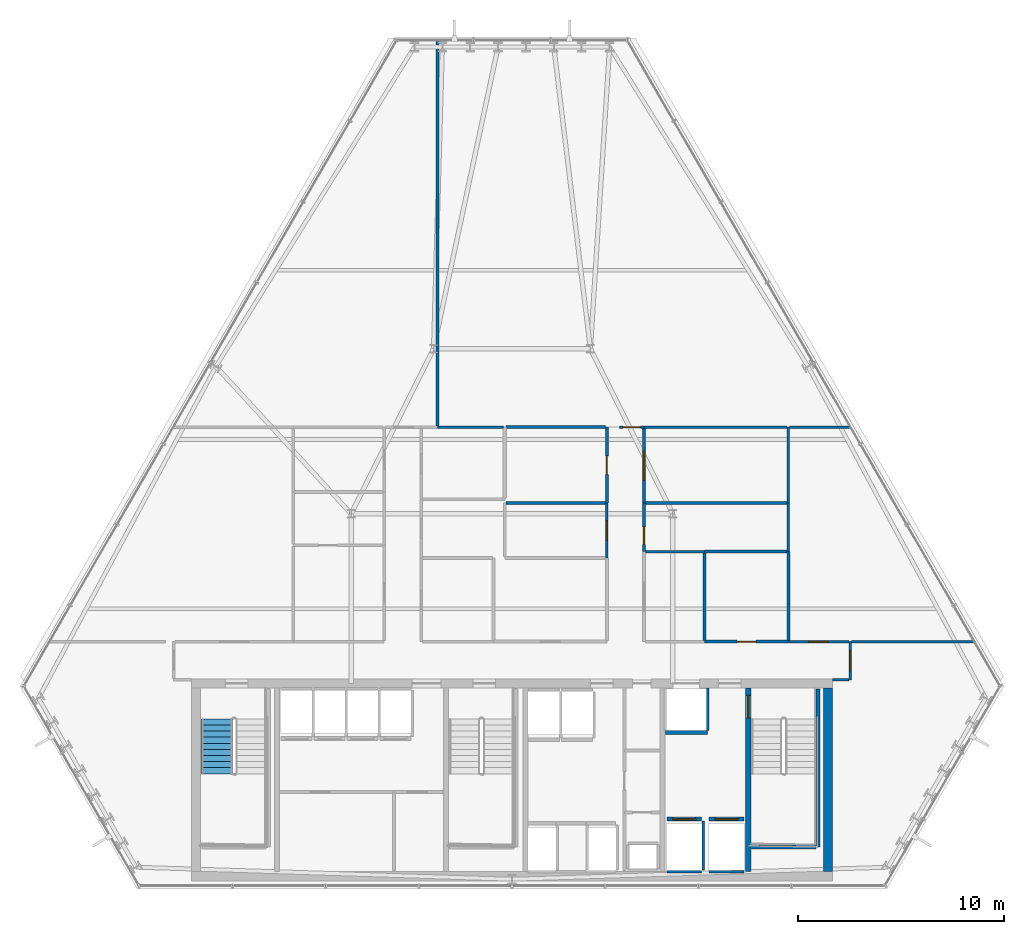
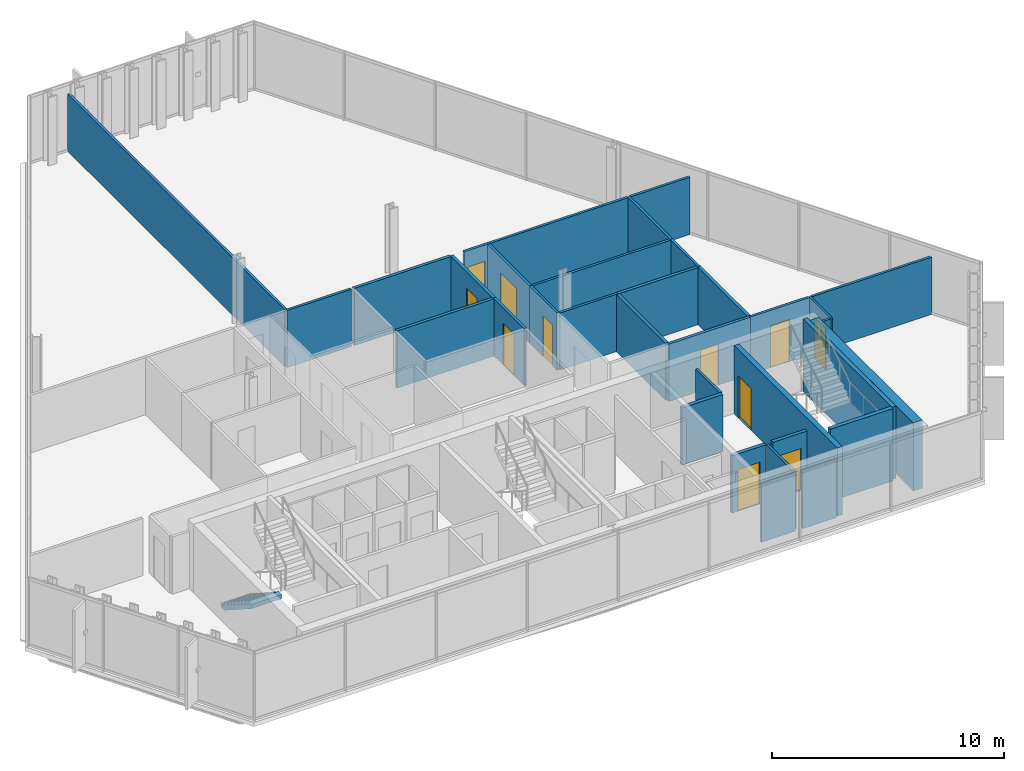
# One storey, part 28 of 33: 34 walls, 11 doors, 1 stair flight, 11 openings, 1 element without a shape of its own.
"""IFC4 building model written with IfcOpenShell, lengths in metres."""

from ifc_helpers import new_model, si_unit, direction, frame, frame_2d, origin, place, context, subcontext, project, spatial, polyline, rectangle, outline, extrude, material, layer, layer_set, type_object, element, fill, aggregate, save


model = new_model("IFC4")

# Units and contexts
model_context = context("Model", 3, precision=1e-05, world=origin(), true_north=direction((0.0, 1.0)))
body_context = subcontext(model_context, "Body", "Model", "MODEL_VIEW")
ifc_project = project(units=[si_unit("LENGTHUNIT", "METRE"), si_unit("AREAUNIT", "SQUARE_METRE"), si_unit("VOLUMEUNIT", "CUBIC_METRE"), si_unit("PLANEANGLEUNIT", "RADIAN"), si_unit("MASSUNIT", "GRAM", prefix="KILO")], contexts=[model_context])

# Site, building, storey
site_placement = place(None, origin())
site = spatial("IfcSite", under=ifc_project, at=site_placement, CompositionType="ELEMENT")
building_placement = place(site_placement, origin())
building = spatial("IfcBuilding", under=site, at=building_placement, Name="Ndaravel Arena Tower", CompositionType="ELEMENT")
storey_placement = place(building_placement, frame((0.0, 0.0, 149.800048828125)))
storey = spatial("IfcBuildingStorey", under=building, at=storey_placement, Name="L35", CompositionType="ELEMENT", Elevation=149.800048828125)

# Wall, opening, door
ifc_material_1 = material(Name="Concrete C60/75", Category="concrete")
ifc_layer_1 = layer(ifc_material_1, 0.25)
ifc_layer_set_1 = layer_set([ifc_layer_1], Name="Concrete C60/75")
wall_type_1 = type_object("IfcWallType", Name="WALL-CORE-250", PredefinedType="SOLIDWALL", material=ifc_layer_set_1)
wall_1_placement = place(storey_placement, frame((53.449951171875, 5.85009765625, 0.0), z_axis=(0.0, 0.0, 1.0), x_axis=(0.0, 1.0, 0.0)))
wall_1 = element("IfcWall", 1, at=wall_1_placement, inside=storey, type_object=wall_type_1, Name="L35 Core Web Shear Wall 5", PredefinedType="SOLIDWALL", context=body_context, shape_type="SweptSolid", body=[
    extrude(rectangle(XDim=8.89990234375, YDim=0.25, at=frame_2d((4.449951171875, 0.0))), origin(), (0.0, 0.0, 1.0), 3.579833984375),
])
opening_1_placement = place(wall_1_placement, frame((7.449951171875, 0.0, 0.0)))
opening_1 = element("IfcOpeningElement", 2, at=opening_1_placement, cuts=wall_1, Name="Opening FD-01", PredefinedType="OPENING", context=body_context, shape_type="SweptSolid", body=[
    extrude(rectangle(XDim=1.10009765625, YDim=2.199951171875, at=frame_2d((0.550048828125, 1.10009765625))), frame((0.0, 0.125, 0.0), z_axis=(0.0, -1.0, 0.0), x_axis=(1.0, 0.0, 0.0)), (0.0, 0.0, 1.0), 0.25),
])
ifc_material_2 = material(Name="Steel S355", Category="steel")
door_type_1 = type_object("IfcDoorType", Name="DT-01-STAIR-1100", OperationType="SINGLE_SWING_LEFT", PredefinedType="DOOR", material=ifc_material_2)
door_1_placement = place(opening_1_placement, origin())
door_1 = element("IfcDoor", 3, at=door_1_placement, inside=storey, type_object=door_type_1, Name="L35 Firefighting Lobby to ST-3 Door", OperationType="SINGLE_SWING_LEFT", OverallHeight=2.199951171875, OverallWidth=1.10009765625, PredefinedType="DOOR", context=body_context, shape_type="SweptSolid", body=[
    extrude(rectangle(XDim=1.10009765625, YDim=2.199951171875, at=frame_2d((0.550048828125, 1.10009765625))), frame((0.0, 0.02490234375, 0.0), z_axis=(0.0, -1.0, 0.0), x_axis=(1.0, 0.0, 0.0)), (0.0, 0.0, 1.0), 0.050048828125),
])
fill(opening_1, door_1)

# Wall
ifc_material_3 = material(Name="Concrete C60/75", Category="concrete")
ifc_layer_2 = layer(ifc_material_3, 0.449951171875)
ifc_layer_set_2 = layer_set([ifc_layer_2], Name="Concrete C60/75")
wall_type_2 = type_object("IfcWallType", Name="WALL-CORE-450", PredefinedType="SOLIDWALL", material=ifc_layer_set_2)
wall_2_placement = place(storey_placement, frame((57.324951171875, 5.85009765625, 0.0), z_axis=(0.0, 0.0, 1.0), x_axis=(0.0, 1.0, 0.0)))
element("IfcWall", 4, at=wall_2_placement, inside=storey, type_object=wall_type_2, Name="L35 Core East Shear Wall", PredefinedType="SOLIDWALL", context=body_context, shape_type="SweptSolid", body=[
    extrude(rectangle(XDim=8.89990234375, YDim=0.449951171875, at=frame_2d((4.449951171875, 0.0))), origin(), (0.0, 0.0, 1.0), 3.579833984375),
])

# Wall, opening, door
ifc_material_4 = material(Name="Timber", Category="wood")
ifc_layer_3 = layer(ifc_material_4, 0.10009765625)
ifc_layer_set_3 = layer_set([ifc_layer_3], Name="Timber")
wall_type_3 = type_object("IfcWallType", Name="WALL-MOVABLE-100", PredefinedType="MOVABLE", material=ifc_layer_set_3)
wall_3_placement = place(storey_placement, frame((58.39990234375, 17.0, 0.0), z_axis=(0.0, 0.0, 1.0), x_axis=(0.0, -1.0, 0.0)))
wall_3 = element("IfcWall", 5, at=wall_3_placement, inside=storey, type_object=wall_type_3, Name="L35 Interior Partition 001", PredefinedType="MOVABLE", context=body_context, shape_type="SweptSolid", body=[
    extrude(rectangle(XDim=1.85009765625, YDim=0.10009765625, at=frame_2d((0.925048828125, 0.0))), origin(), (0.0, 0.0, 1.0), 3.010498046875),
])
opening_2_placement = place(wall_3_placement, frame((0.449951171875, 0.0, 0.0)))
opening_2 = element("IfcOpeningElement", 6, at=opening_2_placement, cuts=wall_3, Name="Opening ID-01", PredefinedType="OPENING", context=body_context, shape_type="SweptSolid", body=[
    extrude(rectangle(XDim=0.949951171875, YDim=2.199951171875, at=frame_2d((0.47509765625, 1.10009765625))), frame((0.0, 0.050048828125, 0.0), z_axis=(0.0, -1.0, 0.0), x_axis=(1.0, 0.0, 0.0)), (0.0, 0.0, 1.0), 0.10009765625),
])
ifc_material_5 = material(Name="Timber", Category="wood")
door_type_2 = type_object("IfcDoorType", Name="DT-03-OFFICE-950", OperationType="SINGLE_SWING_LEFT", PredefinedType="DOOR", material=ifc_material_5)
door_2_placement = place(opening_2_placement, origin())
door_2 = element("IfcDoor", 7, at=door_2_placement, inside=storey, type_object=door_type_2, Name="L35 Visitor Reception Desk Door", OperationType="SINGLE_SWING_LEFT", OverallHeight=2.199951171875, OverallWidth=0.949951171875, PredefinedType="DOOR", context=body_context, shape_type="SweptSolid", body=[
    extrude(rectangle(XDim=0.949951171875, YDim=2.199951171875, at=frame_2d((0.47509765625, 1.10009765625))), frame((0.0, 0.02490234375, 0.0), z_axis=(0.0, -1.0, 0.0), x_axis=(1.0, 0.0, 0.0)), (0.0, 0.0, 1.0), 0.050048828125),
])
fill(opening_2, door_2)

# Wall
ifc_material_6 = material(Name="Gypsum", Category="gypsum")
ifc_layer_4 = layer(ifc_material_6, 0.125)
ifc_layer_set_4 = layer_set([ifc_layer_4], Name="Gypsum")
wall_type_4 = type_object("IfcWallType", Name="WALL-PART-125", PredefinedType="PARTITIONING", material=ifc_layer_set_4)
wall_4_placement = place(storey_placement, frame((58.3349609375, 15.14990234375, 0.0), z_axis=(0.0, 0.0, 1.0), x_axis=(-1.0, 0.0, 0.0)))
element("IfcWall", 8, at=wall_4_placement, inside=storey, type_object=wall_type_4, Name="L35 Interior Partition 002", PredefinedType="PARTITIONING", context=body_context, shape_type="SweptSolid", body=[
    extrude(rectangle(XDim=0.784912109375, YDim=0.125, at=frame_2d((0.392578125, 0.0))), origin(), (0.0, 0.0, 1.0), 3.010498046875),
])

# Wall, opening, door
wall_5_placement = place(storey_placement, frame((46.60009765625, 21.055908203125, 0.0), z_axis=(0.0, 0.0, 1.0), x_axis=(0.0, 1.0, 0.0)))
wall_5 = element("IfcWall", 9, at=wall_5_placement, inside=storey, type_object=wall_type_4, Name="L35 Interior Partition 017", PredefinedType="PARTITIONING", context=body_context, shape_type="SweptSolid", body=[
    extrude(rectangle(XDim=2.66455078125, YDim=0.125, at=frame_2d((1.332275390625, 0.0))), origin(), (0.0, 0.0, 1.0), 3.010498046875),
])
opening_3_placement = place(wall_5_placement, frame((0.857421875, 0.0, 0.0)))
opening_3 = element("IfcOpeningElement", 10, at=opening_3_placement, cuts=wall_5, Name="Opening ID-01", PredefinedType="OPENING", context=body_context, shape_type="SweptSolid", body=[
    extrude(rectangle(XDim=0.949951171875, YDim=2.199951171875, at=frame_2d((0.47509765625, 1.10009765625))), frame((0.0, 0.0625, 0.0), z_axis=(0.0, -1.0, 0.0), x_axis=(1.0, 0.0, 0.0)), (0.0, 0.0, 1.0), 0.125),
])
door_3_placement = place(opening_3_placement, origin())
door_3 = element("IfcDoor", 11, at=door_3_placement, inside=storey, type_object=door_type_2, Name="L35 Training Classroom 4 Door", OperationType="SINGLE_SWING_LEFT", OverallHeight=2.199951171875, OverallWidth=0.949951171875, PredefinedType="DOOR", context=body_context, shape_type="SweptSolid", body=[
    extrude(rectangle(XDim=0.949951171875, YDim=2.199951171875, at=frame_2d((0.47509765625, 1.10009765625))), frame((0.0, 0.02490234375, 0.0), z_axis=(0.0, -1.0, 0.0), x_axis=(1.0, 0.0, 0.0)), (0.0, 0.0, 1.0), 0.050048828125),
])
fill(opening_3, door_3)

wall_6_placement = place(storey_placement, frame((48.39990234375, 27.3349609375, 0.0), z_axis=(0.0, 0.0, 1.0), x_axis=(0.0, -1.0, 0.0)))
wall_6 = element("IfcWall", 12, at=wall_6_placement, inside=storey, type_object=wall_type_4, Name="L35 Interior Partition 020", PredefinedType="PARTITIONING", context=body_context, shape_type="SweptSolid", body=[
    extrude(rectangle(XDim=3.614501953125, YDim=0.125, at=frame_2d((1.80712890625, 0.0))), origin(), (0.0, 0.0, 1.0), 3.010498046875),
])
opening_4_placement = place(wall_6_placement, frame((1.107177734375, 0.0, 0.0)))
opening_4 = element("IfcOpeningElement", 13, at=opening_4_placement, cuts=wall_6, Name="Opening ID-02", PredefinedType="OPENING", context=body_context, shape_type="SweptSolid", body=[
    extrude(rectangle(XDim=1.39990234375, YDim=2.199951171875, at=frame_2d((0.699951171875, 1.10009765625))), frame((0.0, 0.0625, 0.0), z_axis=(0.0, -1.0, 0.0), x_axis=(1.0, 0.0, 0.0)), (0.0, 0.0, 1.0), 0.125),
])
ifc_material_7 = material(Name="Timber", Category="wood")
door_type_3 = type_object("IfcDoorType", Name="DT-04-SUITE-1400", OperationType="DOUBLE_DOOR_SINGLE_SWING", PredefinedType="DOOR", material=ifc_material_7)
door_4_placement = place(opening_4_placement, origin())
door_4 = element("IfcDoor", 14, at=door_4_placement, inside=storey, type_object=door_type_3, Name="L35 Client Conference Room 6 Door", OperationType="SINGLE_SWING_RIGHT", OverallHeight=2.199951171875, OverallWidth=1.39990234375, PredefinedType="DOOR", context=body_context, shape_type="SweptSolid", body=[
    extrude(rectangle(XDim=1.39990234375, YDim=2.199951171875, at=frame_2d((0.699951171875, 1.10009765625))), frame((0.0, 0.02490234375, 0.0), z_axis=(0.0, -1.0, 0.0), x_axis=(1.0, 0.0, 0.0)), (0.0, 0.0, 1.0), 0.050048828125),
])
fill(opening_4, door_4)

wall_7_placement = place(storey_placement, frame((55.39990234375, 17.0, 0.0), z_axis=(0.0, 0.0, 1.0), x_axis=(1.0, 0.0, 0.0)))
wall_7 = element("IfcWall", 15, at=wall_7_placement, inside=storey, type_object=wall_type_4, Name="L35 Interior Partition 025", PredefinedType="PARTITIONING", context=body_context, shape_type="SweptSolid", body=[
    extrude(rectangle(XDim=2.93505859375, YDim=0.125, at=frame_2d((1.467529296875, 0.0))), origin(), (0.0, 0.0, 1.0), 3.010498046875),
])
opening_5_placement = place(wall_7_placement, frame((0.992431640625, 0.0, 0.0)))
opening_5 = element("IfcOpeningElement", 16, at=opening_5_placement, cuts=wall_7, Name="Opening ID-01", PredefinedType="OPENING", context=body_context, shape_type="SweptSolid", body=[
    extrude(rectangle(XDim=0.949951171875, YDim=2.199951171875, at=frame_2d((0.47509765625, 1.10009765625))), frame((0.0, 0.0625, 0.0), z_axis=(0.0, -1.0, 0.0), x_axis=(1.0, 0.0, 0.0)), (0.0, 0.0, 1.0), 0.125),
])
door_5_placement = place(opening_5_placement, origin())
door_5 = element("IfcDoor", 17, at=door_5_placement, inside=storey, type_object=door_type_2, Name="L35 Concierge Arrival Salon 2 Door", OperationType="SINGLE_SWING_LEFT", OverallHeight=2.199951171875, OverallWidth=0.949951171875, PredefinedType="DOOR", context=body_context, shape_type="SweptSolid", body=[
    extrude(rectangle(XDim=0.949951171875, YDim=2.199951171875, at=frame_2d((0.47509765625, 1.10009765625))), frame((0.0, 0.02490234375, 0.0), z_axis=(0.0, -1.0, 0.0), x_axis=(1.0, 0.0, 0.0)), (0.0, 0.0, 1.0), 0.050048828125),
])
fill(opening_5, door_5)

# Walls
wall_8_placement = place(storey_placement, frame((58.465087890625, 17.0, 0.0), z_axis=(0.0, 0.0, 1.0), x_axis=(1.0, 0.0, 0.0)))
element("IfcWall", 18, at=wall_8_placement, inside=storey, type_object=wall_type_4, Name="L35 Interior Partition 027", PredefinedType="PARTITIONING", context=body_context, shape_type="SweptSolid", body=[
    extrude(rectangle(XDim=5.958740234375, YDim=0.125, at=frame_2d((2.9794921875, 0.0))), origin(), (0.0, 0.0, 1.0), 3.010498046875),
])
wall_9_placement = place(storey_placement, frame((48.465087890625, 21.367919921875, 0.0), z_axis=(0.0, 0.0, 1.0), x_axis=(1.0, 0.0, 0.0)))
element("IfcWall", 19, at=wall_9_placement, inside=storey, type_object=wall_type_4, Name="L35 Interior Partition 031", PredefinedType="PARTITIONING", context=body_context, shape_type="SweptSolid", body=[
    extrude(rectangle(XDim=2.875, YDim=0.125, at=frame_2d((1.4375, 0.0))), origin(), (0.0, 0.0, 1.0), 3.010498046875),
])
wall_10_placement = place(storey_placement, frame((55.39990234375, 21.367919921875, 0.0), z_axis=(0.0, 0.0, 1.0), x_axis=(0.0, 1.0, 0.0)))
element("IfcWall", 20, at=wall_10_placement, inside=storey, type_object=wall_type_4, Name="L35 Interior Partition 037", PredefinedType="PARTITIONING", context=body_context, shape_type="SweptSolid", body=[
    extrude(rectangle(XDim=2.3525390625, YDim=0.125, at=frame_2d((1.17626953125, 0.0))), origin(), (0.0, 0.0, 1.0), 3.010498046875),
])
wall_11_placement = place(storey_placement, frame((55.39990234375, 23.720458984375, 0.0), z_axis=(0.0, 0.0, 1.0), x_axis=(0.0, 1.0, 0.0)))
element("IfcWall", 21, at=wall_11_placement, inside=storey, type_object=wall_type_4, Name="L35 Interior Partition 038", PredefinedType="PARTITIONING", context=body_context, shape_type="SweptSolid", body=[
    extrude(rectangle(XDim=3.679443359375, YDim=0.125, at=frame_2d((1.83984375, 0.0))), origin(), (0.0, 0.0, 1.0), 3.010498046875),
])
wall_12_placement = place(storey_placement, frame((55.465087890625, 27.39990234375, 0.0), z_axis=(0.0, 0.0, 1.0), x_axis=(1.0, 0.0, 0.0)))
element("IfcWall", 22, at=wall_12_placement, inside=storey, type_object=wall_type_4, Name="L35 Interior Partition 039", PredefinedType="PARTITIONING", context=body_context, shape_type="SweptSolid", body=[
    extrude(rectangle(XDim=2.954345703125, YDim=0.125, at=frame_2d((1.47705078125, 0.0))), origin(), (0.0, 0.0, 1.0), 3.010498046875),
])
wall_13_placement = place(storey_placement, frame((48.465087890625, 23.720458984375, 0.0), z_axis=(0.0, 0.0, 1.0), x_axis=(1.0, 0.0, 0.0)))
element("IfcWall", 23, at=wall_13_placement, inside=storey, type_object=wall_type_4, Name="L35 Interior Partition 046", PredefinedType="PARTITIONING", context=body_context, shape_type="SweptSolid", body=[
    extrude(rectangle(XDim=6.869873046875, YDim=0.125, at=frame_2d((3.43505859375, 0.0))), origin(), (0.0, 0.0, 1.0), 3.010498046875),
])
wall_14_placement = place(storey_placement, frame((48.39990234375, 27.39990234375, 0.0), z_axis=(0.0, 0.0, 1.0), x_axis=(1.0, 0.0, 0.0)))
element("IfcWall", 24, at=wall_14_placement, inside=storey, type_object=wall_type_4, Name="L35 Interior Partition 050", PredefinedType="PARTITIONING", context=body_context, shape_type="SweptSolid", body=[
    extrude(rectangle(XDim=6.93505859375, YDim=0.125, at=frame_2d((3.467529296875, 0.0))), origin(), (0.0, 0.0, 1.0), 3.010498046875),
])
wall_15_placement = place(storey_placement, frame((38.3876953125, 27.39990234375, 0.0), z_axis=(0.0, 0.0, 1.0), x_axis=(1.0, 0.0, 0.0)))
element("IfcWall", 25, at=wall_15_placement, inside=storey, type_object=wall_type_4, Name="L35 Interior Partition 052", PredefinedType="PARTITIONING", context=body_context, shape_type="SweptSolid", body=[
    extrude(rectangle(XDim=3.197265625, YDim=0.125, at=frame_2d((1.5986328125, 0.0))), origin(), (0.0, 0.0, 1.0), 3.010498046875),
])
wall_16_placement = place(storey_placement, frame((38.3876953125, 46.15380859375, 0.0), z_axis=(0.0, 0.0, 1.0), x_axis=(0.0, -1.0, 0.0)))
element("IfcWall", 26, at=wall_16_placement, inside=storey, type_object=wall_type_4, Name="L35 Interior Partition 054", PredefinedType="PARTITIONING", context=body_context, shape_type="SweptSolid", body=[
    extrude(rectangle(XDim=18.688720703125, YDim=0.125, at=frame_2d((9.34423828125, 0.0))), origin(), (0.0, 0.0, 1.0), 3.010498046875),
])
ifc_material_8 = material(Name="Concrete C40/50", Category="concrete")
ifc_layer_5 = layer(ifc_material_8, 0.1201171875)
ifc_layer_set_5 = layer_set([ifc_layer_5], Name="Concrete C40/50")
wall_type_5 = type_object("IfcWallType", Name="WALL-SHAFT-120", PredefinedType="SOLIDWALL", material=ifc_layer_set_5)
wall_17_placement = place(storey_placement, frame((49.5048828125, 5.840087890625, 0.0), z_axis=(0.0, 0.0, 1.0), x_axis=(1.0, 0.0, 0.0)))
element("IfcWall", 27, at=wall_17_placement, inside=storey, type_object=wall_type_5, Name="L35 FFL-1 Shaft Rear Wall", PredefinedType="SOLIDWALL", context=body_context, shape_type="SweptSolid", body=[
    extrude(rectangle(XDim=1.690185546875, YDim=0.1201171875, at=frame_2d((0.84521484375, 0.0))), origin(), (0.0, 0.0, 1.0), 3.010498046875),
])
wall_18_placement = place(storey_placement, frame((51.27490234375, 5.929931640625, 0.0), z_axis=(0.0, 0.0, 1.0), x_axis=(0.0, 1.0, 0.0)))
element("IfcWall", 28, at=wall_18_placement, inside=storey, type_object=wall_type_5, Name="L35 FFL-1 Shaft Side R Wall", PredefinedType="SOLIDWALL", context=body_context, shape_type="SweptSolid", body=[
    extrude(rectangle(XDim=2.380126953125, YDim=0.1201171875, at=frame_2d((1.18994140625, 0.0))), origin(), (0.0, 0.0, 1.0), 3.010498046875),
])
wall_19_placement = place(storey_placement, frame((51.554931640625, 5.840087890625, 0.0), z_axis=(0.0, 0.0, 1.0), x_axis=(1.0, 0.0, 0.0)))
element("IfcWall", 29, at=wall_19_placement, inside=storey, type_object=wall_type_5, Name="L35 FFL-2 Shaft Rear Wall", PredefinedType="SOLIDWALL", context=body_context, shape_type="SweptSolid", body=[
    extrude(rectangle(XDim=1.690185546875, YDim=0.1201171875, at=frame_2d((0.84521484375, 0.0))), origin(), (0.0, 0.0, 1.0), 3.010498046875),
])
wall_20_placement = place(storey_placement, frame((51.47998046875, 12.68994140625, 0.0), z_axis=(0.0, 0.0, 1.0), x_axis=(0.0, 1.0, 0.0)))
element("IfcWall", 30, at=wall_20_placement, inside=storey, type_object=wall_type_5, Name="L35 SVL-1 Shaft E Wall", PredefinedType="SOLIDWALL", context=body_context, shape_type="SweptSolid", body=[
    extrude(rectangle(XDim=2.070068359375, YDim=0.1201171875, at=frame_2d((1.03515625, 0.0))), origin(), (0.0, 0.0, 1.0), 3.010498046875),
])
ifc_material_9 = material(Name="Concrete C40/50", Category="concrete")
ifc_layer_6 = layer(ifc_material_9, 0.199951171875)
ifc_layer_set_6 = layer_set([ifc_layer_6], Name="Concrete C40/50")
wall_type_6 = type_object("IfcWallType", Name="WALL-SHAFT-200", PredefinedType="SOLIDWALL", material=ifc_layer_set_6)
wall_21_placement = place(storey_placement, frame((56.840087890625, 14.699951171875, 0.0), z_axis=(0.0, 0.0, 1.0), x_axis=(0.0, -1.0, 0.0)))
element("IfcWall", 31, at=wall_21_placement, inside=storey, type_object=wall_type_6, Name="L35 ST-3 Structural Shaft Wall Right", PredefinedType="SOLIDWALL", context=body_context, shape_type="SweptSolid", body=[
    extrude(rectangle(XDim=7.64990234375, YDim=0.199951171875, at=frame_2d((3.824951171875, 0.0))), origin(), (0.0, 0.0, 1.0), 3.800048828125),
])
wall_22_placement = place(storey_placement, frame((53.6201171875, 7.050048828125, 0.0), z_axis=(0.0, 0.0, 1.0), x_axis=(1.0, 0.0, 0.0)))
element("IfcWall", 32, at=wall_22_placement, inside=storey, type_object=wall_type_6, Name="L35 ST-3 Structural Shaft Wall Far", PredefinedType="SOLIDWALL", context=body_context, shape_type="SweptSolid", body=[
    extrude(rectangle(XDim=3.114990234375, YDim=0.199951171875, at=frame_2d((1.5576171875, 0.0))), origin(), (0.0, 0.0, 1.0), 3.800048828125),
])

# Wall, opening, door
wall_23_placement = place(storey_placement, frame((49.5048828125, 8.39990234375, 0.0), z_axis=(0.0, 0.0, 1.0), x_axis=(1.0, 0.0, 0.0)))
wall_23 = element("IfcWall", 33, at=wall_23_placement, inside=storey, type_object=wall_type_6, Name="L35 FFL-1 Shaft Landing Wall", PredefinedType="SOLIDWALL", context=body_context, shape_type="SweptSolid", body=[
    extrude(rectangle(XDim=1.690185546875, YDim=0.179931640625, at=frame_2d((0.84521484375, 0.0))), origin(), (0.0, 0.0, 1.0), 3.010498046875),
])
opening_6_placement = place(wall_23_placement, frame((0.294921875, 0.0, 0.0)))
opening_6 = element("IfcOpeningElement", 34, at=opening_6_placement, cuts=wall_23, Name="Opening LD-01", PredefinedType="OPENING", context=body_context, shape_type="SweptSolid", body=[
    extrude(rectangle(XDim=1.10009765625, YDim=2.199951171875, at=frame_2d((0.550048828125, 1.10009765625))), frame((0.0, 0.08984375, 0.0), z_axis=(0.0, -1.0, 0.0), x_axis=(1.0, 0.0, 0.0)), (0.0, 0.0, 1.0), 0.179931640625),
])
ifc_material_10 = material(Name="Steel S355", Category="steel")
door_type_4 = type_object("IfcDoorType", Name="DT-06-LIFT-1100", OperationType="SLIDING_TO_LEFT", PredefinedType="DOOR", material=ifc_material_10)
door_6_placement = place(opening_6_placement, origin())
door_6 = element("IfcDoor", 35, at=door_6_placement, inside=storey, type_object=door_type_4, Name="L35 Lift FFL-1 Sliding Landing Door", OperationType="SLIDING_TO_LEFT", OverallHeight=2.199951171875, OverallWidth=1.10009765625, PredefinedType="DOOR", context=body_context, shape_type="SweptSolid", body=[
    extrude(rectangle(XDim=1.10009765625, YDim=2.199951171875, at=frame_2d((0.550048828125, 1.10009765625))), frame((0.0, 0.02490234375, 0.0), z_axis=(0.0, -1.0, 0.0), x_axis=(1.0, 0.0, 0.0)), (0.0, 0.0, 1.0), 0.050048828125),
])
fill(opening_6, door_6)

wall_24_placement = place(storey_placement, frame((51.554931640625, 8.39990234375, 0.0), z_axis=(0.0, 0.0, 1.0), x_axis=(1.0, 0.0, 0.0)))
wall_24 = element("IfcWall", 36, at=wall_24_placement, inside=storey, type_object=wall_type_6, Name="L35 FFL-2 Shaft Landing Wall", PredefinedType="SOLIDWALL", context=body_context, shape_type="SweptSolid", body=[
    extrude(rectangle(XDim=1.690185546875, YDim=0.179931640625, at=frame_2d((0.84521484375, 0.0))), origin(), (0.0, 0.0, 1.0), 3.010498046875),
])
opening_7_placement = place(wall_24_placement, frame((0.294921875, 0.0, 0.0)))
opening_7 = element("IfcOpeningElement", 37, at=opening_7_placement, cuts=wall_24, Name="Opening LD-01", PredefinedType="OPENING", context=body_context, shape_type="SweptSolid", body=[
    extrude(rectangle(XDim=1.10009765625, YDim=2.199951171875, at=frame_2d((0.550048828125, 1.10009765625))), frame((0.0, 0.08984375, 0.0), z_axis=(0.0, -1.0, 0.0), x_axis=(1.0, 0.0, 0.0)), (0.0, 0.0, 1.0), 0.179931640625),
])
door_7_placement = place(opening_7_placement, origin())
door_7 = element("IfcDoor", 38, at=door_7_placement, inside=storey, type_object=door_type_4, Name="L35 Lift FFL-2 Sliding Landing Door", OperationType="SLIDING_TO_LEFT", OverallHeight=2.199951171875, OverallWidth=1.10009765625, PredefinedType="DOOR", context=body_context, shape_type="SweptSolid", body=[
    extrude(rectangle(XDim=1.10009765625, YDim=2.199951171875, at=frame_2d((0.550048828125, 1.10009765625))), frame((0.0, 0.02490234375, 0.0), z_axis=(0.0, -1.0, 0.0), x_axis=(1.0, 0.0, 0.0)), (0.0, 0.0, 1.0), 0.050048828125),
])
fill(opening_7, door_7)

# Wall
wall_25_placement = place(storey_placement, frame((49.43994140625, 12.594970703125, 0.0), z_axis=(0.0, 0.0, 1.0), x_axis=(1.0, 0.0, 0.0)))
element("IfcWall", 39, at=wall_25_placement, inside=storey, type_object=wall_type_6, Name="L35 SVL-1 Shaft South Wall", PredefinedType="SOLIDWALL", context=body_context, shape_type="SweptSolid", body=[
    extrude(rectangle(XDim=2.0400390625, YDim=0.179931640625, at=frame_2d((1.02001953125, 0.0))), origin(), (0.0, 0.0, 1.0), 3.010498046875),
])

# Wall, opening, door
ifc_material_11 = material(Name="Masonry", Category="masonry")
ifc_layer_7 = layer(ifc_material_11, 0.14990234375)
ifc_layer_set_7 = layer_set([ifc_layer_7], Name="Masonry")
wall_type_7 = type_object("IfcWallType", Name="WALL-WET-150", PredefinedType="PARTITIONING", material=ifc_layer_set_7)
wall_26_placement = place(storey_placement, frame((46.60009765625, 23.720458984375, 0.0), z_axis=(0.0, 0.0, 1.0), x_axis=(0.0, 1.0, 0.0)))
wall_26 = element("IfcWall", 40, at=wall_26_placement, inside=storey, type_object=wall_type_7, Name="L35 Interior Partition 018", PredefinedType="PARTITIONING", context=body_context, shape_type="SweptSolid", body=[
    extrude(rectangle(XDim=3.679443359375, YDim=0.14990234375, at=frame_2d((1.83984375, 0.0))), origin(), (0.0, 0.0, 1.0), 3.010498046875),
])
opening_8_placement = place(wall_26_placement, frame((1.3896484375, 0.0, 0.0)))
opening_8 = element("IfcOpeningElement", 41, at=opening_8_placement, cuts=wall_26, Name="Opening WD-01", PredefinedType="OPENING", context=body_context, shape_type="SweptSolid", body=[
    extrude(rectangle(XDim=0.89990234375, YDim=2.14990234375, at=frame_2d((0.449951171875, 1.074951171875))), frame((0.0, 0.074951171875, 0.0), z_axis=(0.0, -1.0, 0.0), x_axis=(1.0, 0.0, 0.0)), (0.0, 0.0, 1.0), 0.14990234375),
])
ifc_material_12 = material(Name="Timber", Category="wood")
door_type_5 = type_object("IfcDoorType", Name="DT-05-WC-900", OperationType="SINGLE_SWING_LEFT", PredefinedType="DOOR", material=ifc_material_12)
door_8_placement = place(opening_8_placement, origin())
door_8 = element("IfcDoor", 42, at=door_8_placement, inside=storey, type_object=door_type_5, Name="L35 Female & Accessible Restroom Door", OperationType="SINGLE_SWING_LEFT", OverallHeight=2.14990234375, OverallWidth=0.89990234375, PredefinedType="DOOR", context=body_context, shape_type="SweptSolid", body=[
    extrude(rectangle(XDim=0.89990234375, YDim=2.14990234375, at=frame_2d((0.449951171875, 1.074951171875))), frame((0.0, 0.02490234375, 0.0), z_axis=(0.0, -1.0, 0.0), x_axis=(1.0, 0.0, 0.0)), (0.0, 0.0, 1.0), 0.050048828125),
])
fill(opening_8, door_8)

wall_27_placement = place(storey_placement, frame((47.199951171875, 27.39990234375, 0.0), z_axis=(0.0, 0.0, 1.0), x_axis=(1.0, 0.0, 0.0)))
wall_27 = element("IfcWall", 43, at=wall_27_placement, inside=storey, type_object=wall_type_7, Name="L35 Interior Partition 019", PredefinedType="PARTITIONING", context=body_context, shape_type="SweptSolid", body=[
    extrude(rectangle(XDim=1.199951171875, YDim=0.125, at=frame_2d((0.60009765625, 0.0))), origin(), (0.0, 0.0, 1.0), 3.010498046875),
])
opening_9_placement = place(wall_27_placement, frame((0.175048828125, 0.0, 0.0)))
opening_9 = element("IfcOpeningElement", 44, at=opening_9_placement, cuts=wall_27, Name="Opening ID-03", PredefinedType="OPENING", context=body_context, shape_type="SweptSolid", body=[
    extrude(rectangle(XDim=0.85009765625, YDim=2.14990234375, at=frame_2d((0.425048828125, 1.074951171875))), frame((0.0, 0.0625, 0.0), z_axis=(0.0, -1.0, 0.0), x_axis=(1.0, 0.0, 0.0)), (0.0, 0.0, 1.0), 0.125),
])
ifc_material_13 = material(Name="Timber", Category="wood")
door_type_6 = type_object("IfcDoorType", Name="DT-12-SUB-850", OperationType="SINGLE_SWING_LEFT", PredefinedType="DOOR", material=ifc_material_13)
door_9_placement = place(opening_9_placement, origin())
door_9 = element("IfcDoor", 45, at=door_9_placement, inside=storey, type_object=door_type_6, Name="L35 Training Classroom 8 Door", OperationType="SINGLE_SWING_LEFT", OverallHeight=2.14990234375, OverallWidth=0.85009765625, PredefinedType="DOOR", context=body_context, shape_type="SweptSolid", body=[
    extrude(rectangle(XDim=0.85009765625, YDim=2.14990234375, at=frame_2d((0.425048828125, 1.074951171875))), frame((0.0, 0.02490234375, 0.0), z_axis=(0.0, -1.0, 0.0), x_axis=(1.0, 0.0, 0.0)), (0.0, 0.0, 1.0), 0.050048828125),
])
fill(opening_9, door_9)

wall_28_placement = place(storey_placement, frame((48.39990234375, 23.720458984375, 0.0), z_axis=(0.0, 0.0, 1.0), x_axis=(0.0, -1.0, 0.0)))
wall_28 = element("IfcWall", 46, at=wall_28_placement, inside=storey, type_object=wall_type_7, Name="L35 Interior Partition 021", PredefinedType="PARTITIONING", context=body_context, shape_type="SweptSolid", body=[
    extrude(rectangle(XDim=2.3525390625, YDim=0.125, at=frame_2d((1.17626953125, 0.0))), origin(), (0.0, 0.0, 1.0), 3.010498046875),
])
opening_10_placement = place(wall_28_placement, frame((1.1513671875, 0.0, 0.0)))
opening_10 = element("IfcOpeningElement", 47, at=opening_10_placement, cuts=wall_28, Name="Opening ID-03", PredefinedType="OPENING", context=body_context, shape_type="SweptSolid", body=[
    extrude(rectangle(XDim=0.85009765625, YDim=2.14990234375, at=frame_2d((0.425048828125, 1.074951171875))), frame((0.0, 0.0625, 0.0), z_axis=(0.0, -1.0, 0.0), x_axis=(1.0, 0.0, 0.0)), (0.0, 0.0, 1.0), 0.125),
])
door_10_placement = place(opening_10_placement, origin())
door_10 = element("IfcDoor", 48, at=door_10_placement, inside=storey, type_object=door_type_6, Name="L35 Executive Boardroom 5 Door", OperationType="SINGLE_SWING_LEFT", OverallHeight=2.14990234375, OverallWidth=0.85009765625, PredefinedType="DOOR", context=body_context, shape_type="SweptSolid", body=[
    extrude(rectangle(XDim=0.85009765625, YDim=2.14990234375, at=frame_2d((0.425048828125, 1.074951171875))), frame((0.0, 0.02490234375, 0.0), z_axis=(0.0, -1.0, 0.0), x_axis=(1.0, 0.0, 0.0)), (0.0, 0.0, 1.0), 0.050048828125),
])
fill(opening_10, door_10)

wall_29_placement = place(storey_placement, frame((51.340087890625, 17.0, 0.0), z_axis=(0.0, 0.0, 1.0), x_axis=(1.0, 0.0, 0.0)))
wall_29 = element("IfcWall", 49, at=wall_29_placement, inside=storey, type_object=wall_type_7, Name="L35 Interior Partition 024", PredefinedType="PARTITIONING", context=body_context, shape_type="SweptSolid", body=[
    extrude(rectangle(XDim=4.059814453125, YDim=0.14990234375, at=frame_2d((2.02978515625, 0.0))), origin(), (0.0, 0.0, 1.0), 3.010498046875),
])
opening_11_placement = place(wall_29_placement, frame((1.580078125, 0.0, 0.0)))
opening_11 = element("IfcOpeningElement", 50, at=opening_11_placement, cuts=wall_29, Name="Opening WD-01", PredefinedType="OPENING", context=body_context, shape_type="SweptSolid", body=[
    extrude(rectangle(XDim=0.89990234375, YDim=2.14990234375, at=frame_2d((0.449951171875, 1.074951171875))), frame((0.0, 0.074951171875, 0.0), z_axis=(0.0, -1.0, 0.0), x_axis=(1.0, 0.0, 0.0)), (0.0, 0.0, 1.0), 0.14990234375),
])
door_11_placement = place(opening_11_placement, origin())
door_11 = element("IfcDoor", 51, at=door_11_placement, inside=storey, type_object=door_type_5, Name="L35 Male Staff & Visitor Restroom Door", OperationType="SINGLE_SWING_LEFT", OverallHeight=2.14990234375, OverallWidth=0.89990234375, PredefinedType="DOOR", context=body_context, shape_type="SweptSolid", body=[
    extrude(rectangle(XDim=0.89990234375, YDim=2.14990234375, at=frame_2d((0.449951171875, 1.074951171875))), frame((0.0, 0.02490234375, 0.0), z_axis=(0.0, -1.0, 0.0), x_axis=(1.0, 0.0, 0.0)), (0.0, 0.0, 1.0), 0.050048828125),
])
fill(opening_11, door_11)

# Walls
wall_30_placement = place(storey_placement, frame((51.340087890625, 21.302978515625, 0.0), z_axis=(0.0, 0.0, 1.0), x_axis=(0.0, -1.0, 0.0)))
element("IfcWall", 52, at=wall_30_placement, inside=storey, type_object=wall_type_7, Name="L35 Interior Partition 032", PredefinedType="PARTITIONING", context=body_context, shape_type="SweptSolid", body=[
    extrude(rectangle(XDim=4.238037109375, YDim=0.14990234375, at=frame_2d((2.119140625, 0.0))), origin(), (0.0, 0.0, 1.0), 3.010498046875),
])
wall_31_placement = place(storey_placement, frame((55.39990234375, 21.367919921875, 0.0), z_axis=(0.0, 0.0, 1.0), x_axis=(0.0, -1.0, 0.0)))
element("IfcWall", 53, at=wall_31_placement, inside=storey, type_object=wall_type_7, Name="L35 Interior Partition 033", PredefinedType="PARTITIONING", context=body_context, shape_type="SweptSolid", body=[
    extrude(rectangle(XDim=4.302978515625, YDim=0.14990234375, at=frame_2d((2.1513671875, 0.0))), origin(), (0.0, 0.0, 1.0), 3.010498046875),
])
wall_32_placement = place(storey_placement, frame((51.340087890625, 21.367919921875, 0.0), z_axis=(0.0, 0.0, 1.0), x_axis=(1.0, 0.0, 0.0)))
element("IfcWall", 54, at=wall_32_placement, inside=storey, type_object=wall_type_7, Name="L35 Interior Partition 034", PredefinedType="PARTITIONING", context=body_context, shape_type="SweptSolid", body=[
    extrude(rectangle(XDim=3.994873046875, YDim=0.14990234375, at=frame_2d((1.99755859375, 0.0))), origin(), (0.0, 0.0, 1.0), 3.010498046875),
])
for number, where, z_axis, x_axis, name in (
    (55, (41.715087890625, 23.720458984375, 0.0), (0.0, 0.0, 1.0), (1.0, 0.0, 0.0), "L35 Interior Partition 044"),
    (56, (41.715087890625, 27.39990234375, 0.0), (0.0, 0.0, 1.0), (1.0, 0.0, 0.0), "L35 Interior Partition 049"),
):
    element("IfcWall", number, at=place(storey_placement, frame(where, z_axis=z_axis, x_axis=x_axis)), inside=storey, type_object=wall_type_7, Name=name, PredefinedType="PARTITIONING", context=body_context, shape_type="SweptSolid", body=[
        extrude(rectangle(XDim=4.81982421875, YDim=0.14990234375, at=frame_2d((2.409912109375, 0.0))), origin(), (0.0, 0.0, 1.0), 3.010498046875),
    ])

# Stair, stair flight
ifc_material_14 = material(Name="Concrete C40/50", Category="concrete")
stair_type = type_object("IfcStairType", Name="STAIR-CORE-HT", PredefinedType="HALF_TURN_STAIR", material=ifc_material_14)
stair_placement = place(storey_placement, origin())
stair = element("IfcStair", 57, at=stair_placement, inside=storey, type_object=stair_type, Name="L35 ST-1", PredefinedType="HALF_TURN_STAIR")
ifc_material_15 = material(Name="Concrete C40/50", Category="concrete")
stair_flight_type = type_object("IfcStairFlightType", Name="SFLIGHT-CORE-1680", PredefinedType="STRAIGHT", material=ifc_material_15)
stair_flight_placement = place(storey_placement, frame((27.699951171875, 13.25, 0.0), z_axis=(0.0, 0.0, 1.0), x_axis=(0.0, -1.0, 0.0)))
stair_flight = element("IfcStairFlight", 58, at=stair_flight_placement, type_object=stair_flight_type, Name="ST-1 flight 1", NumberOfRisers=10, NumberOfTreads=9, PredefinedType="STRAIGHT", RiserHeight=0.19, TreadLength=0.295, context=body_context, shape_type="SweptSolid", body=[
    extrude(outline(polyline([(0.0, 0.0), (0.0, 0.18994140625), (0.294921875, 0.18994140625), (0.294921875, 0.3798828125), (0.590087890625, 0.3798828125), (0.590087890625, 0.570068359375), (0.885009765625, 0.570068359375), (0.885009765625, 0.760009765625), (1.179931640625, 0.760009765625), (1.179931640625, 0.949951171875), (1.47509765625, 0.949951171875), (1.47509765625, 1.139892578125), (1.77001953125, 1.139892578125), (1.77001953125, 1.330078125), (2.06494140625, 1.330078125), (2.06494140625, 1.52001953125), (2.360107421875, 1.52001953125), (2.360107421875, 1.7099609375), (2.655029296875, 1.7099609375), (2.655029296875, 1.89990234375), (2.655029296875, 1.49609375), (0.332275390625, 0.0), (0.0, 0.0)])), frame((0.0, 0.75, 0.0), z_axis=(0.0, -1.0, 0.0), x_axis=(1.0, 0.0, 0.0)), (0.0, 0.0, 1.0), 1.5),
])
aggregate(stair, [stair_flight])

save(model, "model.ifc")
